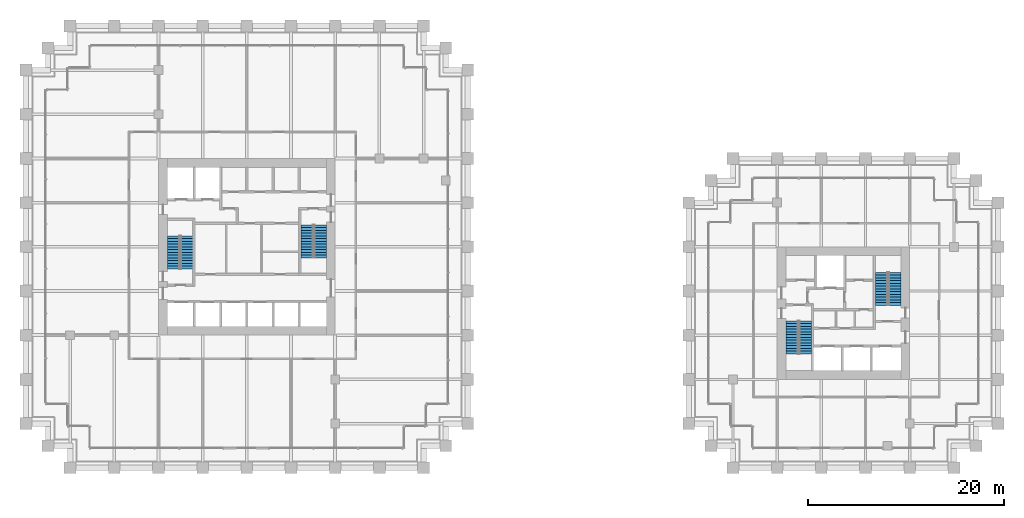
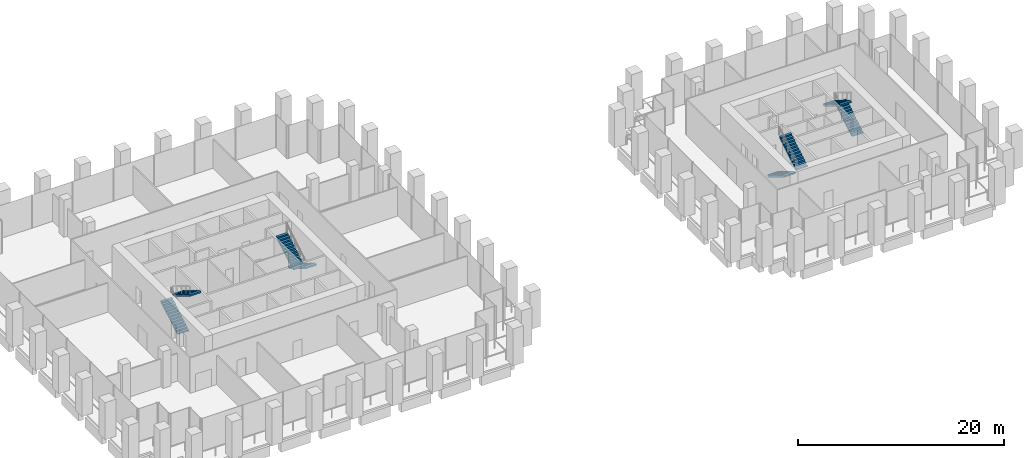
# One storey, part 34 of 36: 8 stair flights, 4 elements without a shape of their own.
"""IFC4 building model written with IfcOpenShell, lengths in metres."""

from ifc_helpers import new_model, si_unit, direction, frame, origin, place, context, subcontext, project, spatial, polyline, outline, extrude, material, type_object, element, aggregate, save


model = new_model("IFC4")

# Units and contexts
model_context = context("Model", 3, precision=1e-05, world=origin(), true_north=direction((0.0, 1.0)))
body_context = subcontext(model_context, "Body", "Model", "MODEL_VIEW")
ifc_project = project(units=[si_unit("LENGTHUNIT", "METRE"), si_unit("AREAUNIT", "SQUARE_METRE"), si_unit("VOLUMEUNIT", "CUBIC_METRE"), si_unit("PLANEANGLEUNIT", "RADIAN"), si_unit("MASSUNIT", "GRAM", prefix="KILO")], contexts=[model_context])

# Site, building, storey
site_placement = place(None, origin())
site = spatial("IfcSite", under=ifc_project, at=site_placement, CompositionType="ELEMENT")
building_placement = place(site_placement, origin())
building = spatial("IfcBuilding", under=site, at=building_placement, Name="Altepetl Exchange Towers", CompositionType="ELEMENT")
storey_placement = place(building_placement, frame((0.0, 0.0, 25.39990234375)))
storey = spatial("IfcBuildingStorey", under=building, at=storey_placement, Name="L05", CompositionType="ELEMENT", Elevation=25.39990234375)

# Stair, stair flights
ifc_material = material(Name="Concrete C40/50", Category="concrete")
stair_type = type_object("IfcStairType", Name="Exit stair 1250 flights dogleg", PredefinedType="HALF_TURN_STAIR", material=ifc_material)
stair_1_placement = place(storey_placement, origin())
stair_1 = element("IfcStair", 1, at=stair_1_placement, inside=storey, type_object=stair_type, Name="Exit stair 1", PredefinedType="HALF_TURN_STAIR")
stair_flight_type = type_object("IfcStairFlightType", Name="Stair flight 1250 wide", PredefinedType="STRAIGHT", material=ifc_material)
stair_flight_1_placement = place(storey_placement, frame((42.02490234375, 47.25, 0.0), z_axis=(0.0, 0.0, 1.0), x_axis=(0.0, 1.0, 0.0)))
stair_flight_1 = element("IfcStairFlight", 2, at=stair_flight_1_placement, type_object=stair_flight_type, Name="ST-A1b flight 1", NumberOfRisers=13, NumberOfTreads=12, PredefinedType="STRAIGHT", RiserHeight=0.169230769, TreadLength=0.28, context=body_context, shape_type="SweptSolid", body=[
    extrude(outline(polyline([(0.0, 0.0), (0.0, 0.169189453125), (0.280029296875, 0.169189453125), (0.280029296875, 0.33837890625), (0.56005859375, 0.33837890625), (0.56005859375, 0.5078125), (0.840087890625, 0.5078125), (0.840087890625, 0.677001953125), (1.1201171875, 0.677001953125), (1.1201171875, 0.84619140625), (1.39990234375, 0.84619140625), (1.39990234375, 1.015380859375), (1.679931640625, 1.015380859375), (1.679931640625, 1.1845703125), (1.9599609375, 1.1845703125), (1.9599609375, 1.353759765625), (2.239990234375, 1.353759765625), (2.239990234375, 1.523193359375), (2.52001953125, 1.523193359375), (2.52001953125, 1.6923828125), (2.800048828125, 1.6923828125), (2.800048828125, 1.861572265625), (3.080078125, 1.861572265625), (3.080078125, 2.03076171875), (3.360107421875, 2.03076171875), (3.360107421875, 2.199951171875), (3.360107421875, 1.855712890625), (0.289794921875, 0.0), (0.0, 0.0)])), frame((0.0, 0.625, 0.0), z_axis=(0.0, -1.0, 0.0), x_axis=(1.0, 0.0, 0.0)), (0.0, 0.0, 1.0), 1.25),
])
stair_flight_2_placement = place(storey_placement, frame((43.375, 50.610107421875, 2.2001953125), z_axis=(0.0, 0.0, 1.0), x_axis=(0.0, -1.0, 0.0)))
stair_flight_2 = element("IfcStairFlight", 3, at=stair_flight_2_placement, type_object=stair_flight_type, Name="ST-A1b flight 2", NumberOfRisers=13, NumberOfTreads=12, PredefinedType="STRAIGHT", RiserHeight=0.169230769, TreadLength=0.28, context=body_context, shape_type="SweptSolid", body=[
    extrude(outline(polyline([(0.0, 0.0), (0.0, 0.169189453125), (0.280029296875, 0.169189453125), (0.280029296875, 0.33837890625), (0.56005859375, 0.33837890625), (0.56005859375, 0.5078125), (0.840087890625, 0.5078125), (0.840087890625, 0.677001953125), (1.1201171875, 0.677001953125), (1.1201171875, 0.84619140625), (1.39990234375, 0.84619140625), (1.39990234375, 1.015380859375), (1.679931640625, 1.015380859375), (1.679931640625, 1.1845703125), (1.9599609375, 1.1845703125), (1.9599609375, 1.353759765625), (2.239990234375, 1.353759765625), (2.239990234375, 1.523193359375), (2.52001953125, 1.523193359375), (2.52001953125, 1.6923828125), (2.800048828125, 1.6923828125), (2.800048828125, 1.861572265625), (3.080078125, 1.861572265625), (3.080078125, 2.03076171875), (3.360107421875, 2.03076171875), (3.360107421875, 2.199951171875), (3.360107421875, 1.855712890625), (0.289794921875, 0.0), (0.0, 0.0)])), frame((0.0, 0.625, 0.0), z_axis=(0.0, -1.0, 0.0), x_axis=(1.0, 0.0, 0.0)), (0.0, 0.0, 1.0), 1.25),
])
aggregate(stair_1, [stair_flight_1, stair_flight_2])

stair_2_placement = place(storey_placement, origin())
stair_2 = element("IfcStair", 4, at=stair_2_placement, inside=storey, type_object=stair_type, Name="Exit stair 2", PredefinedType="HALF_TURN_STAIR")
stair_flight_3_placement = place(storey_placement, frame((56.97509765625, 51.75, 0.0), z_axis=(0.0, 0.0, 1.0), x_axis=(0.0, -1.0, 0.0)))
stair_flight_3 = element("IfcStairFlight", 5, at=stair_flight_3_placement, type_object=stair_flight_type, Name="ST-A2b flight 1", NumberOfRisers=13, NumberOfTreads=12, PredefinedType="STRAIGHT", RiserHeight=0.169230769, TreadLength=0.28, context=body_context, shape_type="SweptSolid", body=[
    extrude(outline(polyline([(0.0, 0.0), (0.0, 0.169189453125), (0.280029296875, 0.169189453125), (0.280029296875, 0.33837890625), (0.56005859375, 0.33837890625), (0.56005859375, 0.5078125), (0.840087890625, 0.5078125), (0.840087890625, 0.677001953125), (1.1201171875, 0.677001953125), (1.1201171875, 0.84619140625), (1.39990234375, 0.84619140625), (1.39990234375, 1.015380859375), (1.679931640625, 1.015380859375), (1.679931640625, 1.1845703125), (1.9599609375, 1.1845703125), (1.9599609375, 1.353759765625), (2.239990234375, 1.353759765625), (2.239990234375, 1.523193359375), (2.52001953125, 1.523193359375), (2.52001953125, 1.6923828125), (2.800048828125, 1.6923828125), (2.800048828125, 1.861572265625), (3.080078125, 1.861572265625), (3.080078125, 2.03076171875), (3.360107421875, 2.03076171875), (3.360107421875, 2.199951171875), (3.360107421875, 1.855712890625), (0.289794921875, 0.0), (0.0, 0.0)])), frame((0.0, 0.625, 0.0), z_axis=(0.0, -1.0, 0.0), x_axis=(1.0, 0.0, 0.0)), (0.0, 0.0, 1.0), 1.25),
])
stair_flight_4_placement = place(storey_placement, frame((55.625, 48.389892578125, 2.2001953125), z_axis=(0.0, 0.0, 1.0), x_axis=(0.0, 1.0, 0.0)))
stair_flight_4 = element("IfcStairFlight", 6, at=stair_flight_4_placement, type_object=stair_flight_type, Name="ST-A2b flight 2", NumberOfRisers=13, NumberOfTreads=12, PredefinedType="STRAIGHT", RiserHeight=0.169230769, TreadLength=0.28, context=body_context, shape_type="SweptSolid", body=[
    extrude(outline(polyline([(0.0, 0.0), (0.0, 0.169189453125), (0.280029296875, 0.169189453125), (0.280029296875, 0.33837890625), (0.56005859375, 0.33837890625), (0.56005859375, 0.5078125), (0.840087890625, 0.5078125), (0.840087890625, 0.677001953125), (1.1201171875, 0.677001953125), (1.1201171875, 0.84619140625), (1.39990234375, 0.84619140625), (1.39990234375, 1.015380859375), (1.679931640625, 1.015380859375), (1.679931640625, 1.1845703125), (1.9599609375, 1.1845703125), (1.9599609375, 1.353759765625), (2.239990234375, 1.353759765625), (2.239990234375, 1.523193359375), (2.52001953125, 1.523193359375), (2.52001953125, 1.6923828125), (2.800048828125, 1.6923828125), (2.800048828125, 1.861572265625), (3.080078125, 1.861572265625), (3.080078125, 2.03076171875), (3.360107421875, 2.03076171875), (3.360107421875, 2.199951171875), (3.360107421875, 1.855712890625), (0.289794921875, 0.0), (0.0, 0.0)])), frame((0.0, 0.625, 0.0), z_axis=(0.0, -1.0, 0.0), x_axis=(1.0, 0.0, 0.0)), (0.0, 0.0, 1.0), 1.25),
])
aggregate(stair_2, [stair_flight_3, stair_flight_4])

stair_3_placement = place(storey_placement, origin())
stair_3 = element("IfcStair", 7, at=stair_3_placement, inside=storey, type_object=stair_type, Name="Exit stair 1", PredefinedType="HALF_TURN_STAIR")
stair_flight_5_placement = place(storey_placement, frame((105.02490234375, 41.949951171875, 0.0), z_axis=(0.0, 0.0, 1.0), x_axis=(0.0, -1.0, 0.0)))
stair_flight_5 = element("IfcStairFlight", 8, at=stair_flight_5_placement, type_object=stair_flight_type, Name="ST-B1b flight 1", NumberOfRisers=13, NumberOfTreads=12, PredefinedType="STRAIGHT", RiserHeight=0.169230769, TreadLength=0.28, context=body_context, shape_type="SweptSolid", body=[
    extrude(outline(polyline([(0.0, 0.0), (0.0, 0.169189453125), (0.280029296875, 0.169189453125), (0.280029296875, 0.33837890625), (0.56005859375, 0.33837890625), (0.56005859375, 0.5078125), (0.840087890625, 0.5078125), (0.840087890625, 0.677001953125), (1.1201171875, 0.677001953125), (1.1201171875, 0.84619140625), (1.39990234375, 0.84619140625), (1.39990234375, 1.015380859375), (1.679931640625, 1.015380859375), (1.679931640625, 1.1845703125), (1.9599609375, 1.1845703125), (1.9599609375, 1.353759765625), (2.239990234375, 1.353759765625), (2.239990234375, 1.523193359375), (2.52001953125, 1.523193359375), (2.52001953125, 1.6923828125), (2.800048828125, 1.6923828125), (2.800048828125, 1.861572265625), (3.080078125, 1.861572265625), (3.080078125, 2.03076171875), (3.360107421875, 2.03076171875), (3.360107421875, 2.199951171875), (3.360107421875, 1.855712890625), (0.289794921875, 0.0), (0.0, 0.0)])), frame((0.0, 0.625, 0.0), z_axis=(0.0, -1.0, 0.0), x_axis=(1.0, 0.0, 0.0)), (0.0, 0.0, 1.0), 1.25),
])
stair_flight_6_placement = place(storey_placement, frame((106.375, 38.590087890625, 2.2001953125), z_axis=(0.0, 0.0, 1.0), x_axis=(0.0, 1.0, 0.0)))
stair_flight_6 = element("IfcStairFlight", 9, at=stair_flight_6_placement, type_object=stair_flight_type, Name="ST-B1b flight 2", NumberOfRisers=13, NumberOfTreads=12, PredefinedType="STRAIGHT", RiserHeight=0.169230769, TreadLength=0.28, context=body_context, shape_type="SweptSolid", body=[
    extrude(outline(polyline([(0.0, 0.0), (0.0, 0.169189453125), (0.280029296875, 0.169189453125), (0.280029296875, 0.33837890625), (0.56005859375, 0.33837890625), (0.56005859375, 0.5078125), (0.840087890625, 0.5078125), (0.840087890625, 0.677001953125), (1.1201171875, 0.677001953125), (1.1201171875, 0.84619140625), (1.39990234375, 0.84619140625), (1.39990234375, 1.015380859375), (1.679931640625, 1.015380859375), (1.679931640625, 1.1845703125), (1.9599609375, 1.1845703125), (1.9599609375, 1.353759765625), (2.239990234375, 1.353759765625), (2.239990234375, 1.523193359375), (2.52001953125, 1.523193359375), (2.52001953125, 1.6923828125), (2.800048828125, 1.6923828125), (2.800048828125, 1.861572265625), (3.080078125, 1.861572265625), (3.080078125, 2.03076171875), (3.360107421875, 2.03076171875), (3.360107421875, 2.199951171875), (3.360107421875, 1.855712890625), (0.289794921875, 0.0), (0.0, 0.0)])), frame((0.0, 0.625, 0.0), z_axis=(0.0, -1.0, 0.0), x_axis=(1.0, 0.0, 0.0)), (0.0, 0.0, 1.0), 1.25),
])
aggregate(stair_3, [stair_flight_5, stair_flight_6])

stair_4_placement = place(storey_placement, origin())
stair_4 = element("IfcStair", 10, at=stair_4_placement, inside=storey, type_object=stair_type, Name="Exit stair 2", PredefinedType="HALF_TURN_STAIR")
stair_flight_7_placement = place(storey_placement, frame((115.47509765625, 43.550048828125, 0.0), z_axis=(0.0, 0.0, 1.0), x_axis=(0.0, 1.0, 0.0)))
stair_flight_7 = element("IfcStairFlight", 11, at=stair_flight_7_placement, type_object=stair_flight_type, Name="ST-B2b flight 1", NumberOfRisers=13, NumberOfTreads=12, PredefinedType="STRAIGHT", RiserHeight=0.169230769, TreadLength=0.28, context=body_context, shape_type="SweptSolid", body=[
    extrude(outline(polyline([(0.0, 0.0), (0.0, 0.169189453125), (0.280029296875, 0.169189453125), (0.280029296875, 0.33837890625), (0.56005859375, 0.33837890625), (0.56005859375, 0.5078125), (0.840087890625, 0.5078125), (0.840087890625, 0.677001953125), (1.1201171875, 0.677001953125), (1.1201171875, 0.84619140625), (1.39990234375, 0.84619140625), (1.39990234375, 1.015380859375), (1.679931640625, 1.015380859375), (1.679931640625, 1.1845703125), (1.9599609375, 1.1845703125), (1.9599609375, 1.353759765625), (2.239990234375, 1.353759765625), (2.239990234375, 1.523193359375), (2.52001953125, 1.523193359375), (2.52001953125, 1.6923828125), (2.800048828125, 1.6923828125), (2.800048828125, 1.861572265625), (3.080078125, 1.861572265625), (3.080078125, 2.03076171875), (3.360107421875, 2.03076171875), (3.360107421875, 2.199951171875), (3.360107421875, 1.855712890625), (0.289794921875, 0.0), (0.0, 0.0)])), frame((0.0, 0.625, 0.0), z_axis=(0.0, -1.0, 0.0), x_axis=(1.0, 0.0, 0.0)), (0.0, 0.0, 1.0), 1.25),
])
stair_flight_8_placement = place(storey_placement, frame((114.125, 46.909912109375, 2.2001953125), z_axis=(0.0, 0.0, 1.0), x_axis=(0.0, -1.0, 0.0)))
stair_flight_8 = element("IfcStairFlight", 12, at=stair_flight_8_placement, type_object=stair_flight_type, Name="ST-B2b flight 2", NumberOfRisers=13, NumberOfTreads=12, PredefinedType="STRAIGHT", RiserHeight=0.169230769, TreadLength=0.28, context=body_context, shape_type="SweptSolid", body=[
    extrude(outline(polyline([(0.0, 0.0), (0.0, 0.169189453125), (0.280029296875, 0.169189453125), (0.280029296875, 0.33837890625), (0.56005859375, 0.33837890625), (0.56005859375, 0.5078125), (0.840087890625, 0.5078125), (0.840087890625, 0.677001953125), (1.1201171875, 0.677001953125), (1.1201171875, 0.84619140625), (1.39990234375, 0.84619140625), (1.39990234375, 1.015380859375), (1.679931640625, 1.015380859375), (1.679931640625, 1.1845703125), (1.9599609375, 1.1845703125), (1.9599609375, 1.353759765625), (2.239990234375, 1.353759765625), (2.239990234375, 1.523193359375), (2.52001953125, 1.523193359375), (2.52001953125, 1.6923828125), (2.800048828125, 1.6923828125), (2.800048828125, 1.861572265625), (3.080078125, 1.861572265625), (3.080078125, 2.03076171875), (3.360107421875, 2.03076171875), (3.360107421875, 2.199951171875), (3.360107421875, 1.855712890625), (0.289794921875, 0.0), (0.0, 0.0)])), frame((0.0, 0.625, 0.0), z_axis=(0.0, -1.0, 0.0), x_axis=(1.0, 0.0, 0.0)), (0.0, 0.0, 1.0), 1.25),
])
aggregate(stair_4, [stair_flight_7, stair_flight_8])

save(model, "model.ifc")
